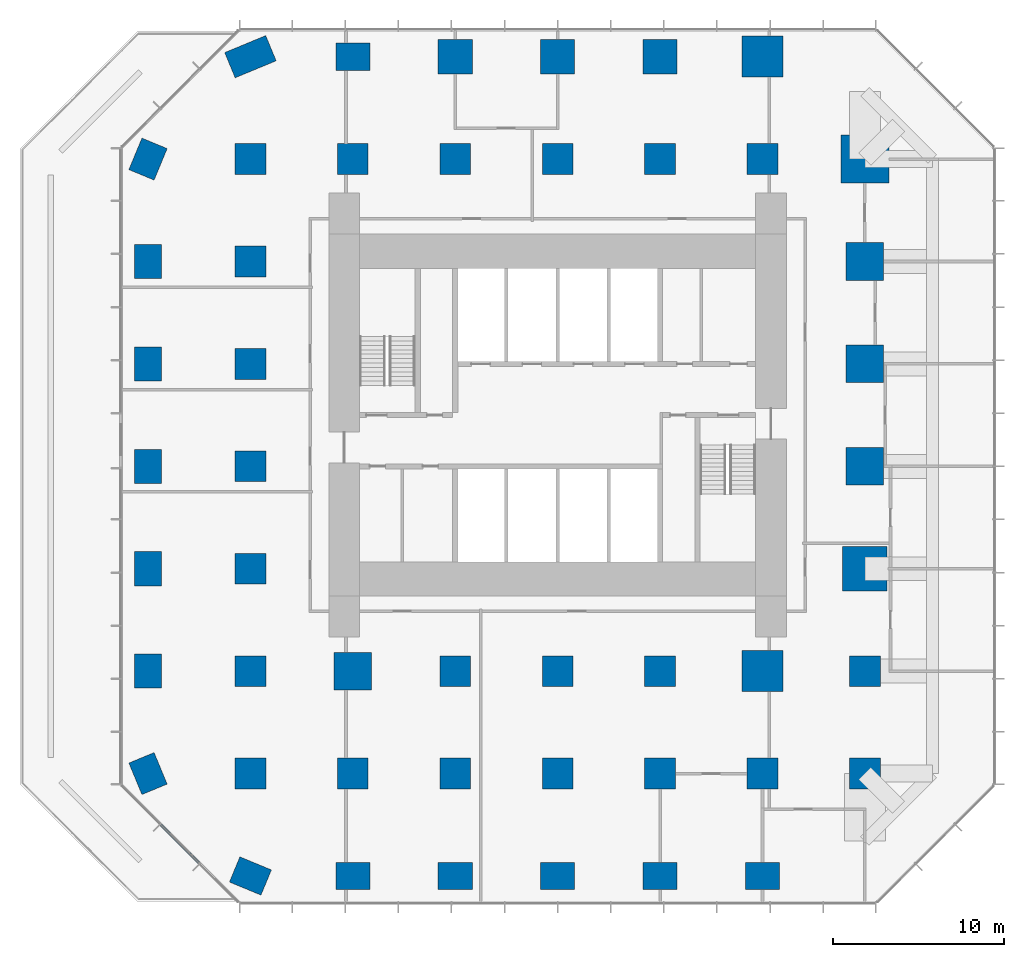
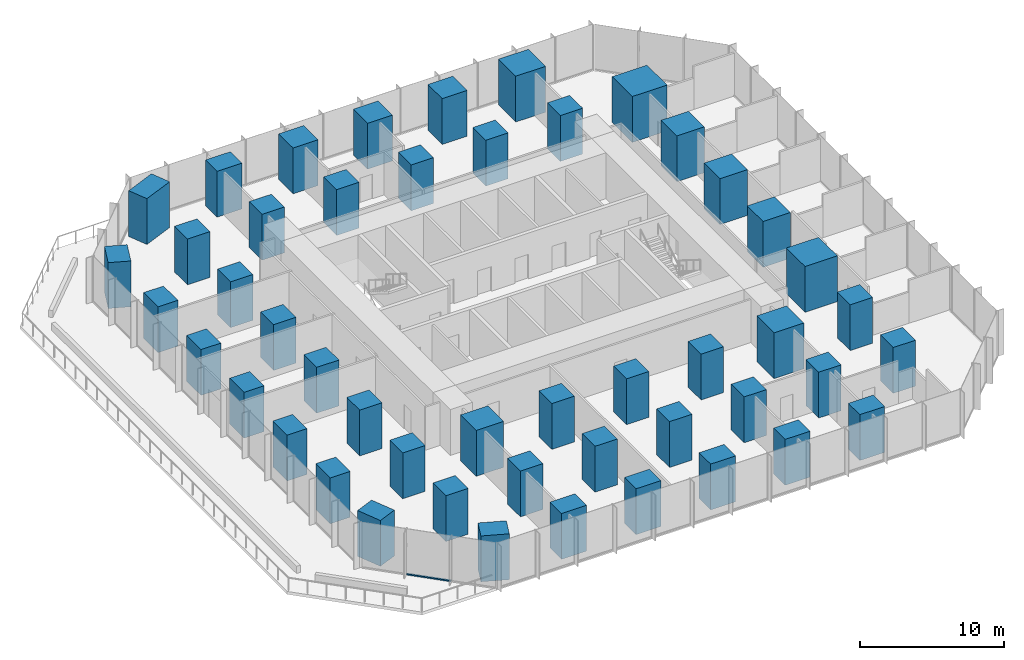
# One storey, part 1 of 12: 48 columns, 1 member, 1 element without a shape of its own.
"""IFC4 building model written with IfcOpenShell, lengths in metres."""

import ifcopenshell
import ifcopenshell.guid

model = None  # the IFC model being written
_history = None  # IfcOwnerHistory: only IFC2X3 demands one
_inside = {}  # id of a spatial element -> (the spatial element, [elements in it])
_under = {}  # id of a project, library or spatial element -> (it, [spatial elements below it])
_declared = {}  # id of a project -> (the project, [libraries it declares])
_typed = {}  # id of a type object -> (the type object, [elements of that type])
_made_of = {}  # id of a material, layer set ... -> (it, [elements and type objects made of it])


def new_model(schema):
    """Start an empty IFC model of exactly this schema.

    Asked for "IFC4X3", IfcOpenShell would pick the latest addendum, in which some entities
    have other attributes; the version numbers below select the first issue.
    IFC2X3 requires an IfcOwnerHistory on every rooted entity: one is made here for all.
    """
    global model, _history
    if schema == "IFC4X3":
        model = ifcopenshell.file(schema_version=(4, 3, 0, 0))
    else:
        model = ifcopenshell.file(schema=schema)
    _inside.clear()
    _under.clear()
    _declared.clear()
    _typed.clear()
    _made_of.clear()
    _history = None
    if model.schema == "IFC2X3":
        org = make("IfcOrganization", Name="unknown")
        user = make(
            "IfcPersonAndOrganization",
            ThePerson=make("IfcPerson", FamilyName="unknown"),
            TheOrganization=org,
        )
        app = make(
            "IfcApplication",
            ApplicationDeveloper=org,
            Version="unknown",
            ApplicationFullName="unknown",
            ApplicationIdentifier="unknown",
        )
        _history = make(
            "IfcOwnerHistory",
            OwningUser=user,
            OwningApplication=app,
            ChangeAction="ADDED",
            CreationDate=0,
        )
    return model


def make(cls, **values):
    """One entity of the class cls with the attributes given. An attribute that is None is left unset."""
    return model.create_entity(
        cls, **{name: value for name, value in values.items() if value is not None}
    )


def rooted(cls, **values):
    """An entity with a GlobalId (a new one), such as an element, a storey or a relation."""
    return make(cls, GlobalId=ifcopenshell.guid.new(), OwnerHistory=_history, **values)


def si_unit(unit_type, name, prefix=None):
    """IfcSIUnit, for example si_unit("LENGTHUNIT", "METRE", prefix="MILLI")."""
    return make("IfcSIUnit", UnitType=unit_type, Prefix=prefix, Name=name)


def assignment(units):
    """IfcUnitAssignment: the units of a project."""
    return None if units is None else make("IfcUnitAssignment", Units=units)


def point(xyz):
    """IfcCartesianPoint."""
    return None if xyz is None else make("IfcCartesianPoint", Coordinates=xyz)


def direction(xyz):
    """IfcDirection."""
    return None if xyz is None else make("IfcDirection", DirectionRatios=xyz)


def frame(location, z_axis=None, x_axis=None):
    """IfcAxis2Placement3D, a coordinate frame: its origin and axes. An axis left out is left unset."""
    return make(
        "IfcAxis2Placement3D",
        Location=point(location),
        Axis=direction(z_axis),
        RefDirection=direction(x_axis),
    )


def frame_2d(location, x_axis=None):
    """IfcAxis2Placement2D, a coordinate frame in the plane: its origin and x axis."""
    return make(
        "IfcAxis2Placement2D", Location=point(location), RefDirection=direction(x_axis)
    )


def origin():
    """The frame at (0, 0, 0) with its axes left unset."""
    return frame((0.0, 0.0, 0.0))


def origin_2d():
    """The frame at (0, 0) in the plane with its x axis left unset."""
    return frame_2d((0.0, 0.0))


def place(relative_to, where):
    """IfcLocalPlacement: puts the frame where relative to a parent placement (None: the world)."""
    return make(
        "IfcLocalPlacement", PlacementRelTo=relative_to, RelativePlacement=where
    )


def context(
    kind, dimensions, precision=None, world=None, true_north=None, identifier=None
):
    """IfcGeometricRepresentationContext, for example the 3D "Model" context."""
    return make(
        "IfcGeometricRepresentationContext",
        ContextIdentifier=identifier,
        ContextType=kind,
        CoordinateSpaceDimension=dimensions,
        Precision=precision,
        WorldCoordinateSystem=world,
        TrueNorth=true_north,
    )


def subcontext(parent, identifier, kind, view, scale=None):
    """IfcGeometricRepresentationSubContext, for example "Body" below "Model"."""
    return make(
        "IfcGeometricRepresentationSubContext",
        ContextIdentifier=identifier,
        ContextType=kind,
        ParentContext=parent,
        TargetScale=scale,
        TargetView=view,
    )


def project(units=None, contexts=None):
    """IfcProject with its units and contexts."""
    return rooted(
        "IfcProject",
        Name="project",
        RepresentationContexts=contexts,
        UnitsInContext=assignment(units),
    )


def spatial(cls, under=None, at=None, **own):
    """A site, building, storey or space (cls), placed at a placement, below another one or the project."""
    s = rooted(cls, ObjectPlacement=at, **own)
    if under is not None:
        _under.setdefault(under.id(), (under, []))[1].append(s)
    return s


def profile(cls, at=None, kind="AREA", **sizes):
    """A parametric profile (cls). Its sizes go by their IFC names, for example OverallWidth=200.0."""
    return make(cls, ProfileType=kind, Position=at, **sizes)


def rectangle(**sizes):
    """IfcRectangleProfileDef."""
    return profile("IfcRectangleProfileDef", **sizes)


def extrude(swept, where, along, depth):
    """IfcExtrudedAreaSolid: the profile swept, set in the frame where, extruded along a direction by depth."""
    return make(
        "IfcExtrudedAreaSolid",
        SweptArea=swept,
        Position=where,
        ExtrudedDirection=direction(along),
        Depth=depth,
    )


def shape(context_of_items, identifier, shape_type, items):
    """IfcShapeRepresentation: the items that make up one representation, for example the "Body"."""
    return make(
        "IfcShapeRepresentation",
        ContextOfItems=context_of_items,
        RepresentationIdentifier=identifier,
        RepresentationType=shape_type,
        Items=items,
    )


def material(Name=None, Category=None):
    """IfcMaterial."""
    return make("IfcMaterial", Name=Name, Category=Category)


def layer(
    of_material, thickness, ventilated=None, Name=None, Category=None, Priority=None
):
    """IfcMaterialLayer: one layer of a wall or slab, of a material (None: an air gap)."""
    return make(
        "IfcMaterialLayer",
        Material=of_material,
        LayerThickness=thickness,
        IsVentilated=ventilated,
        Name=Name,
        Category=Category,
        Priority=Priority,
    )


def layer_set(layers, Name=None):
    """IfcMaterialLayerSet."""
    return make("IfcMaterialLayerSet", MaterialLayers=layers, LayerSetName=Name)


def material_profile(
    of_material, cross_section, Name=None, Category=None, Priority=None
):
    """IfcMaterialProfile: a cross section and its material."""
    return make(
        "IfcMaterialProfile",
        Name=Name,
        Material=of_material,
        Profile=cross_section,
        Priority=Priority,
        Category=Category,
    )


def profile_set(profiles, Name=None, composite=None):
    """IfcMaterialProfileSet."""
    return make(
        "IfcMaterialProfileSet",
        Name=Name,
        MaterialProfiles=profiles,
        CompositeProfile=composite,
    )


def made_of(thing, what):
    """Note that an element or type object is made of a material, layer set ...; save() writes the relation."""
    if what is not None:
        _made_of.setdefault(what.id(), (what, []))[1].append(thing)
    return thing


def type_object(cls, material=None, **own):
    """A type object (cls), such as IfcWallType, which elements share."""
    return made_of(rooted(cls, **own), material)


def element(
    cls,
    number,
    at=None,
    inside=None,
    cuts=None,
    type_object=None,
    material=None,
    context=None,
    identifier="Body",
    shape_type=None,
    held_by="IfcProductDefinitionShape",
    body=None,
    shapes=None,
    **own,
):
    """One element of the class cls, such as IfcWall. Its Tag is "e" and its number.

    at: its placement. inside: the storey or other place that contains it. cuts: it is an
    opening in that element (IfcRelVoidsElement). A single representation is given by context,
    identifier, shape_type and body (its items); several are given by shapes. held_by: the class
    of the entity that holds the representations. save() writes the other relations.
    """
    e = rooted(cls, Tag="e%d" % number, ObjectPlacement=at, **own)
    if body is not None:
        shapes = [shape(context, identifier, shape_type, body)]
    if shapes is not None:
        e.Representation = make(held_by, Representations=shapes)
    if inside is not None:
        _inside.setdefault(inside.id(), (inside, []))[1].append(e)
    if cuts is not None:
        rooted(
            "IfcRelVoidsElement", RelatingBuildingElement=cuts, RelatedOpeningElement=e
        )
    if type_object is not None:
        _typed.setdefault(type_object.id(), (type_object, []))[1].append(e)
    return made_of(e, material)


def aggregate(whole, parts):
    """IfcRelAggregates: a whole, such as a stair, and the parts it consists of."""
    return rooted("IfcRelAggregates", RelatingObject=whole, RelatedObjects=parts)


def save(model, path):
    """Write the relations noted so far, then the file.

    IfcRelAggregates (storeys below a building ...), IfcRelContainedInSpatialStructure (elements
    in a storey), IfcRelDefinesByType, IfcRelAssociatesMaterial and IfcRelDeclares: one each for
    every whole, place, type object, material and project.
    """
    for whole, parts in _under.values():
        aggregate(whole, parts)
    for where, things in _inside.values():
        rooted(
            "IfcRelContainedInSpatialStructure",
            RelatedElements=things,
            RelatingStructure=where,
        )
    for kind, things in _typed.values():
        rooted("IfcRelDefinesByType", RelatedObjects=things, RelatingType=kind)
    for what, things in _made_of.values():
        rooted("IfcRelAssociatesMaterial", RelatedObjects=things, RelatingMaterial=what)
    for by, libraries in _declared.values():
        rooted("IfcRelDeclares", RelatingContext=by, RelatedDefinitions=libraries)
    model.write(path)


model = new_model("IFC4")

# Units and contexts
model_context = context("Model", 3, precision=1e-05, world=origin(), true_north=direction((0.0, 1.0)))
body_context = subcontext(model_context, "Body", "Model", "MODEL_VIEW")
ifc_project = project(units=[si_unit("LENGTHUNIT", "METRE"), si_unit("AREAUNIT", "SQUARE_METRE"), si_unit("VOLUMEUNIT", "CUBIC_METRE"), si_unit("PLANEANGLEUNIT", "RADIAN"), si_unit("MASSUNIT", "GRAM", prefix="KILO")], contexts=[model_context])

# Site, building, storey
site_placement = place(None, origin())
site = spatial("IfcSite", under=ifc_project, at=site_placement, CompositionType="ELEMENT")
building_placement = place(site_placement, origin())
building = spatial("IfcBuilding", under=site, at=building_placement, Name="Highveld Stack Headquarters", CompositionType="ELEMENT")
storey_placement = place(building_placement, frame((0.0, 0.0, 41.60009765625)))
storey = spatial("IfcBuildingStorey", under=building, at=storey_placement, Name="L09", CompositionType="ELEMENT", Elevation=41.60009765625)

# Columns
ifc_material_1 = material(Name="Concrete C60/75", Category="concrete")
ifc_material_profile_1 = material_profile(ifc_material_1, rectangle(XDim=1.800048828125, YDim=1.800048828125, at=origin_2d()), Name="RC 1800x1800")
ifc_profile_set_1 = profile_set([ifc_material_profile_1], Name="Concrete C60/75")
column_type_1 = type_object("IfcColumnType", Name="COLUMN RC 1800x1800 C60/75", PredefinedType="COLUMN", material=ifc_profile_set_1)
for number, where, z_axis, x_axis, name in (
    (1, (-12.0, -18.0, 0.0), (0.0, 0.0, 1.0), (1.0, 0.0, 0.0), "Column 4/B L09"),
    (2, (-12.0, -12.0, 0.0), (0.0, 0.0, 1.0), (1.0, 0.0, 0.0), "Column 4/C L09"),
    (3, (-12.0, -6.0, 0.0), (0.0, 0.0, 1.0), (1.0, 0.0, 0.0), "Column 4/D L09"),
    (4, (-12.0, 0.0, 0.0), (0.0, 0.0, 1.0), (1.0, 0.0, 0.0), "Column 4/E L09"),
    (5, (-12.0, 6.0, 0.0), (0.0, 0.0, 1.0), (1.0, 0.0, 0.0), "Column 4/F L09"),
    (6, (-12.0, 12.0, 0.0), (0.0, 0.0, 1.0), (1.0, 0.0, 0.0), "Column 4/G L09"),
    (7, (-12.0, 18.0, 0.0), (0.0, 0.0, 1.0), (1.0, 0.0, 0.0), "Column 4/H L09"),
    (8, (-6.0, -18.0, 0.0), (0.0, 0.0, 1.0), (1.0, 0.0, 0.0), "Column 5/B L09"),
    (9, (-6.0, 18.0, 0.0), (0.0, 0.0, 1.0), (1.0, 0.0, 0.0), "Column 5/H L09"),
    (10, (0.0, -18.0, 0.0), (0.0, 0.0, 1.0), (1.0, 0.0, 0.0), "Column 6/B L09"),
    (11, (0.0, -12.0, 0.0), (0.0, 0.0, 1.0), (1.0, 0.0, 0.0), "Column 6/C L09"),
    (12, (0.0, 18.0, 0.0), (0.0, 0.0, 1.0), (1.0, 0.0, 0.0), "Column 6/H L09"),
    (13, (6.0, -18.0, 0.0), (0.0, 0.0, 1.0), (1.0, 0.0, 0.0), "Column 7/B L09"),
    (14, (6.0, -12.0, 0.0), (0.0, 0.0, 1.0), (1.0, 0.0, 0.0), "Column 7/C L09"),
    (15, (6.0, 18.0, 0.0), (0.0, 0.0, 1.0), (1.0, 0.0, 0.0), "Column 7/H L09"),
    (16, (12.0, -18.0, 0.0), (0.0, 0.0, 1.0), (1.0, 0.0, 0.0), "Column 8/B L09"),
    (17, (12.0, -12.0, 0.0), (0.0, 0.0, 1.0), (1.0, 0.0, 0.0), "Column 8/C L09"),
    (18, (12.0, 18.0, 0.0), (0.0, 0.0, 1.0), (1.0, 0.0, 0.0), "Column 8/H L09"),
    (19, (18.0, -18.0, 0.0), (0.0, 0.0, 1.0), (1.0, 0.0, 0.0), "Column 9/B L09"),
    (20, (18.0, 18.0, 0.0), (0.0, 0.0, 1.0), (1.0, 0.0, 0.0), "Column 9/H L09"),
    (21, (24.0, -18.0, 0.0), (0.0, 0.0, 1.0), (1.0, 0.0, 0.0), "Column 10/B L09"),
    (22, (24.0, -12.0, 0.0), (0.0, 0.0, 1.0), (1.0, 0.0, 0.0), "Column 10/C L09"),
):
    element("IfcColumn", number, at=place(storey_placement, frame(where, z_axis=z_axis, x_axis=x_axis)), inside=storey, type_object=column_type_1, Name=name, PredefinedType="COLUMN", context=body_context, shape_type="SweptSolid", body=[
        extrude(rectangle(XDim=1.800048828125, YDim=1.800048828125, at=origin_2d()), origin(), (0.0, 0.0, 1.0), 3.89990234375),
    ])
ifc_material_2 = material(Name="Concrete C60/75", Category="concrete")
ifc_material_profile_2 = material_profile(ifc_material_2, rectangle(XDim=2.0, YDim=1.60009765625, at=origin_2d()), Name="RC 2000x1600")
ifc_profile_set_2 = profile_set([ifc_material_profile_2], Name="Concrete C60/75")
column_type_2 = type_object("IfcColumnType", Name="COLUMN RC 2000x1600 C60/75", PredefinedType="COLUMN", material=ifc_profile_set_2)
for number, where, z_axis, x_axis, name in (
    (23, (-18.0, -18.0, 0.0), (0.0, 0.0, 1.0), (-0.382683432365, 0.923879532511, 0.0), "Column 3/B L09"),
    (24, (-18.0, -12.0, 0.0), (0.0, 0.0, 1.0), (0.0, 1.0, 0.0), "Column 3/C L09"),
    (25, (-18.0, -6.0, 0.0), (0.0, 0.0, 1.0), (0.0, 1.0, 0.0), "Column 3/D L09"),
    (26, (-18.0, 0.0, 0.0), (0.0, 0.0, 1.0), (0.0, 1.0, 0.0), "Column 3/E L09"),
    (27, (-18.0, 6.0, 0.0), (0.0, 0.0, 1.0), (0.0, 1.0, 0.0), "Column 3/F L09"),
    (28, (-18.0, 12.0, 0.0), (0.0, 0.0, 1.0), (0.0, 1.0, 0.0), "Column 3/G L09"),
    (29, (-18.0, 18.0, 0.0), (0.0, 0.0, 1.0), (0.382683432365, 0.923879532511, 0.0), "Column 3/H L09"),
    (30, (-12.0, -24.0, 0.0), (0.0, 0.0, 1.0), (-0.923879532511, 0.382683432365, 0.0), "Column 4/A L09"),
    (31, (-6.0, -24.0, 0.0), (0.0, 0.0, 1.0), (1.0, 0.0, 0.0), "Column 5/A L09"),
    (32, (-6.0, 24.0, 0.0), (0.0, 0.0, 1.0), (1.0, 0.0, 0.0), "Column 5/J L09"),
    (33, (0.0, -24.0, 0.0), (0.0, 0.0, 1.0), (1.0, 0.0, 0.0), "Column 6/A L09"),
    (34, (6.0, -24.0, 0.0), (0.0, 0.0, 1.0), (1.0, 0.0, 0.0), "Column 7/A L09"),
    (35, (12.0, -24.0, 0.0), (0.0, 0.0, 1.0), (1.0, 0.0, 0.0), "Column 8/A L09"),
    (36, (18.0, -24.0, 0.0), (0.0, 0.0, 1.0), (1.0, 0.0, 0.0), "Column 9/A L09"),
):
    element("IfcColumn", number, at=place(storey_placement, frame(where, z_axis=z_axis, x_axis=x_axis)), inside=storey, type_object=column_type_2, Name=name, PredefinedType="COLUMN", context=body_context, shape_type="SweptSolid", body=[
        extrude(rectangle(XDim=2.0, YDim=1.60009765625, at=origin_2d()), origin(), (0.0, 0.0, 1.0), 3.89990234375),
    ])
ifc_material_3 = material(Name="Concrete C60/75", Category="concrete")
ifc_material_profile_3 = material_profile(ifc_material_3, rectangle(XDim=2.0, YDim=2.0, at=origin_2d()), Name="RC 2000x2000")
ifc_profile_set_3 = profile_set([ifc_material_profile_3], Name="Concrete C60/75")
column_type_3 = type_object("IfcColumnType", Name="COLUMN RC 2000x2000 C60/75", PredefinedType="COLUMN", material=ifc_profile_set_3)
for number, where, z_axis, x_axis, name in (
    (37, (0.0, 24.0, 0.0), (0.0, 0.0, 1.0), (1.0, 0.0, 0.0), "Column 6/J L09"),
    (38, (6.0, 24.0, 0.0), (0.0, 0.0, 1.0), (1.0, 0.0, 0.0), "Column 7/J L09"),
    (39, (12.0, 24.0, 0.0), (0.0, 0.0, 1.0), (1.0, 0.0, 0.0), "Column 8/J L09"),
):
    element("IfcColumn", number, at=place(storey_placement, frame(where, z_axis=z_axis, x_axis=x_axis)), inside=storey, type_object=column_type_3, Name=name, PredefinedType="COLUMN", context=body_context, shape_type="SweptSolid", body=[
        extrude(rectangle(XDim=2.0, YDim=2.0, at=origin_2d()), origin(), (0.0, 0.0, 1.0), 3.89990234375),
    ])
ifc_material_4 = material(Name="Concrete C60/75", Category="concrete")
ifc_material_profile_4 = material_profile(ifc_material_4, rectangle(XDim=2.199951171875, YDim=2.199951171875, at=origin_2d()), Name="RC 2200x2200")
ifc_profile_set_4 = profile_set([ifc_material_profile_4], Name="Concrete C60/75")
column_type_4 = type_object("IfcColumnType", Name="COLUMN RC 2200x2200 C60/75", PredefinedType="COLUMN", material=ifc_profile_set_4)
for number, where, z_axis, x_axis, name in (
    (40, (-6.0, -12.0, 0.0), (0.0, 0.0, 1.0), (1.0, 0.0, 0.0), "Column 5/C L09"),
    (41, (24.0, 0.0, 0.0), (0.0, 0.0, 1.0), (1.0, 0.0, 0.0), "Column 10/E L09"),
    (42, (24.0, 6.0, 0.0), (0.0, 0.0, 1.0), (1.0, 0.0, 0.0), "Column 10/F L09"),
    (43, (24.0, 12.0, 0.0), (0.0, 0.0, 1.0), (1.0, 0.0, 0.0), "Column 10/G L09"),
):
    element("IfcColumn", number, at=place(storey_placement, frame(where, z_axis=z_axis, x_axis=x_axis)), inside=storey, type_object=column_type_4, Name=name, PredefinedType="COLUMN", context=body_context, shape_type="SweptSolid", body=[
        extrude(rectangle(XDim=2.199951171875, YDim=2.199951171875, at=origin_2d()), origin(), (0.0, 0.0, 1.0), 3.89990234375),
    ])
ifc_material_5 = material(Name="Concrete C60/75", Category="concrete")
ifc_material_profile_5 = material_profile(ifc_material_5, rectangle(XDim=2.39990234375, YDim=2.39990234375, at=origin_2d()), Name="RC 2400x2400")
ifc_profile_set_5 = profile_set([ifc_material_profile_5], Name="Concrete C60/75")
column_type_5 = type_object("IfcColumnType", Name="COLUMN RC 2400x2400 C60/75", PredefinedType="COLUMN", material=ifc_profile_set_5)
for number, where, z_axis, x_axis, name in (
    (44, (18.0, -12.0, 0.0), (0.0, 0.0, 1.0), (1.0, 0.0, 0.0), "Column 9/C L09"),
    (45, (18.0, 24.0, 0.0), (0.0, 0.0, 1.0), (1.0, 0.0, 0.0), "Column 9/J L09"),
):
    element("IfcColumn", number, at=place(storey_placement, frame(where, z_axis=z_axis, x_axis=x_axis)), inside=storey, type_object=column_type_5, Name=name, PredefinedType="COLUMN", context=body_context, shape_type="SweptSolid", body=[
        extrude(rectangle(XDim=2.39990234375, YDim=2.39990234375, at=origin_2d()), origin(), (0.0, 0.0, 1.0), 3.89990234375),
    ])
ifc_material_6 = material(Name="Concrete C60/75", Category="concrete")
ifc_material_profile_6 = material_profile(ifc_material_6, rectangle(XDim=2.60009765625, YDim=1.60009765625, at=origin_2d()), Name="RC 2600x1600")
ifc_profile_set_6 = profile_set([ifc_material_profile_6], Name="Concrete C60/75")
column_type_6 = type_object("IfcColumnType", Name="COLUMN RC 2600x1600 C60/75", PredefinedType="COLUMN", material=ifc_profile_set_6)
column_1_placement = place(storey_placement, frame((-12.0, 24.0, 0.0), z_axis=(0.0, 0.0, 1.0), x_axis=(0.923879532511, 0.382683432365, 0.0)))
element("IfcColumn", 46, at=column_1_placement, inside=storey, type_object=column_type_6, Name="Column 4/J L09", PredefinedType="COLUMN", context=body_context, shape_type="SweptSolid", body=[
    extrude(rectangle(XDim=2.60009765625, YDim=1.60009765625, at=origin_2d()), origin(), (0.0, 0.0, 1.0), 3.89990234375),
])
ifc_material_7 = material(Name="Concrete C60/75", Category="concrete")
ifc_material_profile_7 = material_profile(ifc_material_7, rectangle(XDim=2.60009765625, YDim=2.60009765625, at=origin_2d()), Name="RC 2600x2600")
ifc_profile_set_7 = profile_set([ifc_material_profile_7], Name="Concrete C60/75")
column_type_7 = type_object("IfcColumnType", Name="COLUMN RC 2600x2600 C60/75", PredefinedType="COLUMN", material=ifc_profile_set_7)
column_2_placement = place(storey_placement, frame((24.0, -6.0, 0.0), z_axis=(0.0, 0.0, 1.0), x_axis=(1.0, 0.0, 0.0)))
element("IfcColumn", 47, at=column_2_placement, inside=storey, type_object=column_type_7, Name="Column 10/D L09", PredefinedType="COLUMN", context=body_context, shape_type="SweptSolid", body=[
    extrude(rectangle(XDim=2.60009765625, YDim=2.60009765625, at=origin_2d()), origin(), (0.0, 0.0, 1.0), 3.89990234375),
])
ifc_material_8 = material(Name="Concrete C60/75", Category="concrete")
ifc_material_profile_8 = material_profile(ifc_material_8, rectangle(XDim=2.800048828125, YDim=2.800048828125, at=origin_2d()), Name="RC 2800x2800")
ifc_profile_set_8 = profile_set([ifc_material_profile_8], Name="Concrete C60/75")
column_type_8 = type_object("IfcColumnType", Name="COLUMN RC 2800x2800 C60/75", PredefinedType="COLUMN", material=ifc_profile_set_8)
column_3_placement = place(storey_placement, frame((24.0, 18.0, 0.0), z_axis=(0.0, 0.0, 1.0), x_axis=(1.0, 0.0, 0.0)))
element("IfcColumn", 48, at=column_3_placement, inside=storey, type_object=column_type_8, Name="Column 10/H L09", PredefinedType="COLUMN", context=body_context, shape_type="SweptSolid", body=[
    extrude(rectangle(XDim=2.800048828125, YDim=2.800048828125, at=origin_2d()), origin(), (0.0, 0.0, 1.0), 3.89990234375),
])

# Curtain wall, member
ifc_material_9 = material(Name="Aluminium bronze anodised", Category="aluminium")
ifc_layer = layer(ifc_material_9, 0.199951171875)
ifc_layer_set = layer_set([ifc_layer], Name="Aluminium bronze anodised")
curtain_wall_type = type_object("IfcCurtainWallType", Name="CW2 TOWER CHAMFER UNITISED CURTAIN WALL", PredefinedType="NOTDEFINED", material=ifc_layer_set)
curtain_wall_placement = place(storey_placement, origin())
curtain_wall = element("IfcCurtainWall", 49, at=curtain_wall_placement, inside=storey, type_object=curtain_wall_type, Name="Curtain wall CW2 L09 SW", PredefinedType="NOTDEFINED")
ifc_material_10 = material(Name="Aluminium bronze anodised", Category="aluminium")
ifc_material_profile_9 = material_profile(ifc_material_10, rectangle(XDim=0.14990234375, YDim=0.10009765625, at=origin_2d()), Name="CW2 TRANSOM 150x100")
ifc_profile_set_9 = profile_set([ifc_material_profile_9], Name="Aluminium bronze anodised")
member_type = type_object("IfcMemberType", Name="CW2 STACK TRANSOM 150x100", PredefinedType="USERDEFINED", material=ifc_profile_set_9)
member_placement = place(storey_placement, frame((-17.2646484375, -20.998046875, 0.0498046875), z_axis=(0.707106781187, -0.707106781187, 0.0), x_axis=(0.707106781187, 0.707106781187, 0.0)))
member = element("IfcMember", 50, at=member_placement, type_object=member_type, Name="CW2 transom L09 2.1", ObjectType="TRANSOM", PredefinedType="USERDEFINED", context=body_context, shape_type="SweptSolid", body=[
    extrude(rectangle(XDim=0.14990234375, YDim=0.10009765625, at=origin_2d()), origin(), (0.0, 0.0, 1.0), 3.20556640625),
])
aggregate(curtain_wall, [member])

save(model, "model.ifc")
